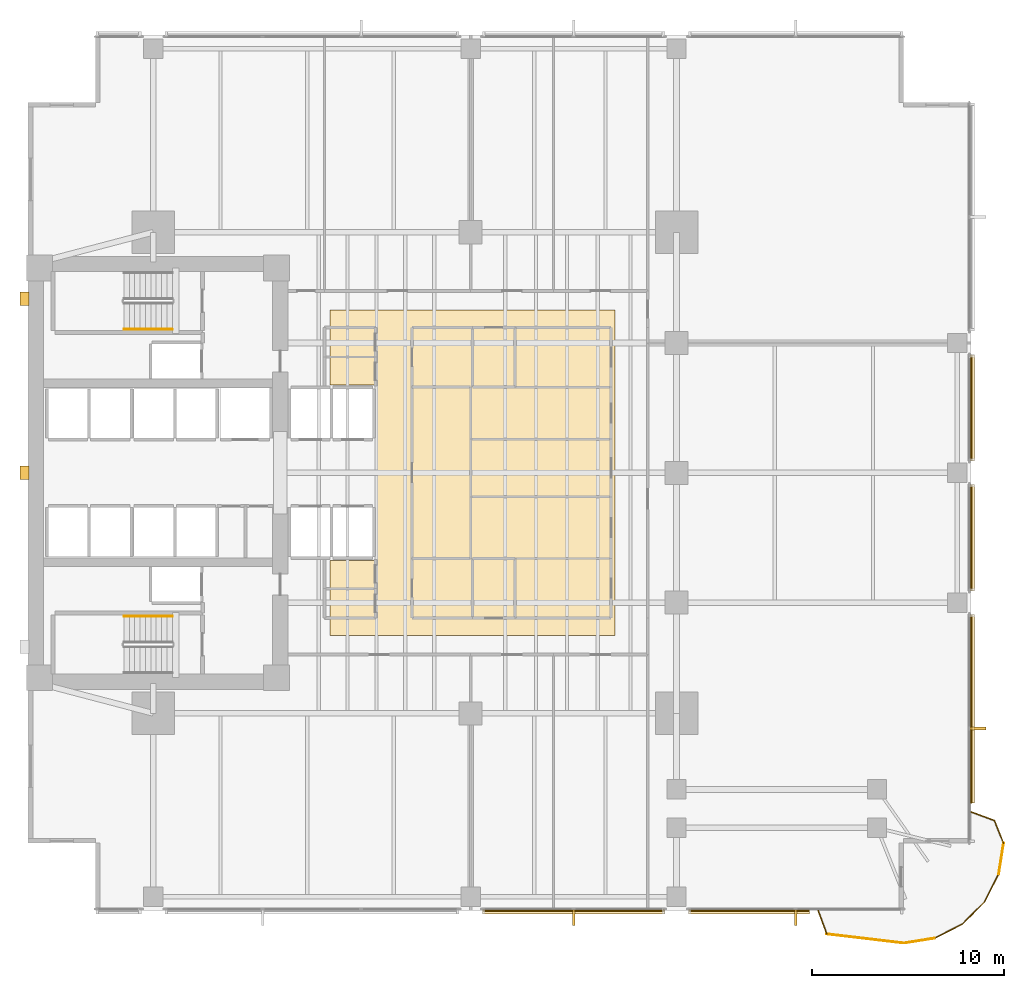
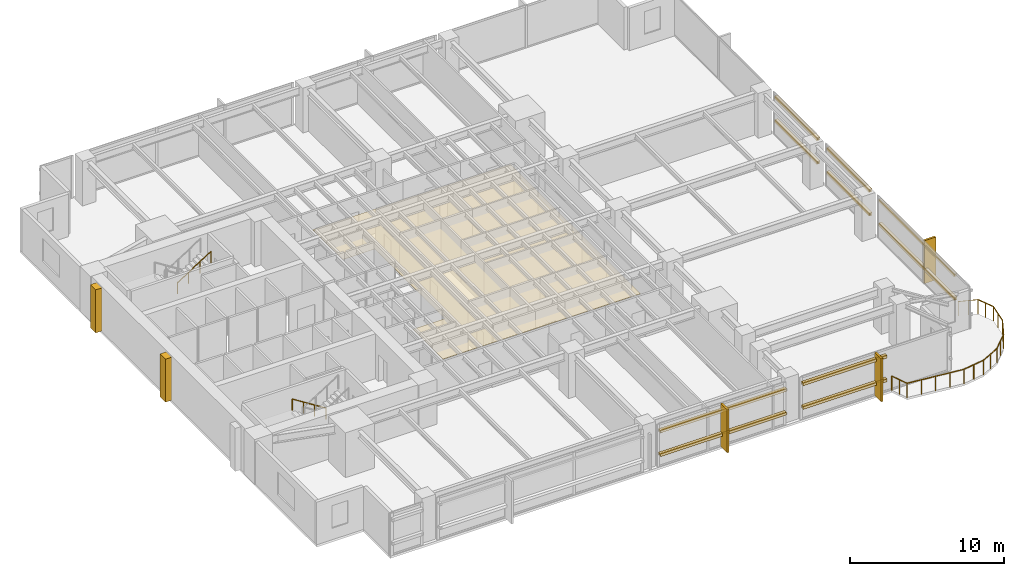
# One storey, part 13 of 15: 16 coverings, 11 railings, 10 shading devices.
"""IFC4 building model written with IfcOpenShell, lengths in metres."""

import ifcopenshell
import ifcopenshell.guid

model = None  # the IFC model being written
_history = None  # IfcOwnerHistory: only IFC2X3 demands one
_inside = {}  # id of a spatial element -> (the spatial element, [elements in it])
_under = {}  # id of a project, library or spatial element -> (it, [spatial elements below it])
_declared = {}  # id of a project -> (the project, [libraries it declares])
_typed = {}  # id of a type object -> (the type object, [elements of that type])
_made_of = {}  # id of a material, layer set ... -> (it, [elements and type objects made of it])


def new_model(schema):
    """Start an empty IFC model of exactly this schema.

    Asked for "IFC4X3", IfcOpenShell would pick the latest addendum, in which some entities
    have other attributes; the version numbers below select the first issue.
    IFC2X3 requires an IfcOwnerHistory on every rooted entity: one is made here for all.
    """
    global model, _history
    if schema == "IFC4X3":
        model = ifcopenshell.file(schema_version=(4, 3, 0, 0))
    else:
        model = ifcopenshell.file(schema=schema)
    _inside.clear()
    _under.clear()
    _declared.clear()
    _typed.clear()
    _made_of.clear()
    _history = None
    if model.schema == "IFC2X3":
        org = make("IfcOrganization", Name="unknown")
        user = make(
            "IfcPersonAndOrganization",
            ThePerson=make("IfcPerson", FamilyName="unknown"),
            TheOrganization=org,
        )
        app = make(
            "IfcApplication",
            ApplicationDeveloper=org,
            Version="unknown",
            ApplicationFullName="unknown",
            ApplicationIdentifier="unknown",
        )
        _history = make(
            "IfcOwnerHistory",
            OwningUser=user,
            OwningApplication=app,
            ChangeAction="ADDED",
            CreationDate=0,
        )
    return model


def make(cls, **values):
    """One entity of the class cls with the attributes given. An attribute that is None is left unset."""
    return model.create_entity(
        cls, **{name: value for name, value in values.items() if value is not None}
    )


def rooted(cls, **values):
    """An entity with a GlobalId (a new one), such as an element, a storey or a relation."""
    return make(cls, GlobalId=ifcopenshell.guid.new(), OwnerHistory=_history, **values)


def si_unit(unit_type, name, prefix=None):
    """IfcSIUnit, for example si_unit("LENGTHUNIT", "METRE", prefix="MILLI")."""
    return make("IfcSIUnit", UnitType=unit_type, Prefix=prefix, Name=name)


def assignment(units):
    """IfcUnitAssignment: the units of a project."""
    return None if units is None else make("IfcUnitAssignment", Units=units)


def point(xyz):
    """IfcCartesianPoint."""
    return None if xyz is None else make("IfcCartesianPoint", Coordinates=xyz)


def direction(xyz):
    """IfcDirection."""
    return None if xyz is None else make("IfcDirection", DirectionRatios=xyz)


def frame(location, z_axis=None, x_axis=None):
    """IfcAxis2Placement3D, a coordinate frame: its origin and axes. An axis left out is left unset."""
    return make(
        "IfcAxis2Placement3D",
        Location=point(location),
        Axis=direction(z_axis),
        RefDirection=direction(x_axis),
    )


def frame_2d(location, x_axis=None):
    """IfcAxis2Placement2D, a coordinate frame in the plane: its origin and x axis."""
    return make(
        "IfcAxis2Placement2D", Location=point(location), RefDirection=direction(x_axis)
    )


def origin():
    """The frame at (0, 0, 0) with its axes left unset."""
    return frame((0.0, 0.0, 0.0))


def origin_2d():
    """The frame at (0, 0) in the plane with its x axis left unset."""
    return frame_2d((0.0, 0.0))


def place(relative_to, where):
    """IfcLocalPlacement: puts the frame where relative to a parent placement (None: the world)."""
    return make(
        "IfcLocalPlacement", PlacementRelTo=relative_to, RelativePlacement=where
    )


def context(
    kind, dimensions, precision=None, world=None, true_north=None, identifier=None
):
    """IfcGeometricRepresentationContext, for example the 3D "Model" context."""
    return make(
        "IfcGeometricRepresentationContext",
        ContextIdentifier=identifier,
        ContextType=kind,
        CoordinateSpaceDimension=dimensions,
        Precision=precision,
        WorldCoordinateSystem=world,
        TrueNorth=true_north,
    )


def subcontext(parent, identifier, kind, view, scale=None):
    """IfcGeometricRepresentationSubContext, for example "Body" below "Model"."""
    return make(
        "IfcGeometricRepresentationSubContext",
        ContextIdentifier=identifier,
        ContextType=kind,
        ParentContext=parent,
        TargetScale=scale,
        TargetView=view,
    )


def project(units=None, contexts=None):
    """IfcProject with its units and contexts."""
    return rooted(
        "IfcProject",
        Name="project",
        RepresentationContexts=contexts,
        UnitsInContext=assignment(units),
    )


def spatial(cls, under=None, at=None, **own):
    """A site, building, storey or space (cls), placed at a placement, below another one or the project."""
    s = rooted(cls, ObjectPlacement=at, **own)
    if under is not None:
        _under.setdefault(under.id(), (under, []))[1].append(s)
    return s


def polyline(points):
    """IfcPolyline through the points."""
    return make("IfcPolyline", Points=[point(p) for p in points])


def profile(cls, at=None, kind="AREA", **sizes):
    """A parametric profile (cls). Its sizes go by their IFC names, for example OverallWidth=200.0."""
    return make(cls, ProfileType=kind, Position=at, **sizes)


def rectangle(**sizes):
    """IfcRectangleProfileDef."""
    return profile("IfcRectangleProfileDef", **sizes)


def circle(**sizes):
    """IfcCircleProfileDef."""
    return profile("IfcCircleProfileDef", **sizes)


def outline(outer, holes=None, kind="AREA"):
    """IfcArbitraryClosedProfileDef: a profile drawn as a closed curve; with holes, ...WithVoids."""
    if holes is None:
        return make("IfcArbitraryClosedProfileDef", ProfileType=kind, OuterCurve=outer)
    return make(
        "IfcArbitraryProfileDefWithVoids",
        ProfileType=kind,
        OuterCurve=outer,
        InnerCurves=holes,
    )


def extrude(swept, where, along, depth):
    """IfcExtrudedAreaSolid: the profile swept, set in the frame where, extruded along a direction by depth."""
    return make(
        "IfcExtrudedAreaSolid",
        SweptArea=swept,
        Position=where,
        ExtrudedDirection=direction(along),
        Depth=depth,
    )


def shape(context_of_items, identifier, shape_type, items):
    """IfcShapeRepresentation: the items that make up one representation, for example the "Body"."""
    return make(
        "IfcShapeRepresentation",
        ContextOfItems=context_of_items,
        RepresentationIdentifier=identifier,
        RepresentationType=shape_type,
        Items=items,
    )


def material(Name=None, Category=None):
    """IfcMaterial."""
    return make("IfcMaterial", Name=Name, Category=Category)


def layer(
    of_material, thickness, ventilated=None, Name=None, Category=None, Priority=None
):
    """IfcMaterialLayer: one layer of a wall or slab, of a material (None: an air gap)."""
    return make(
        "IfcMaterialLayer",
        Material=of_material,
        LayerThickness=thickness,
        IsVentilated=ventilated,
        Name=Name,
        Category=Category,
        Priority=Priority,
    )


def layer_set(layers, Name=None):
    """IfcMaterialLayerSet."""
    return make("IfcMaterialLayerSet", MaterialLayers=layers, LayerSetName=Name)


def material_profile(
    of_material, cross_section, Name=None, Category=None, Priority=None
):
    """IfcMaterialProfile: a cross section and its material."""
    return make(
        "IfcMaterialProfile",
        Name=Name,
        Material=of_material,
        Profile=cross_section,
        Priority=Priority,
        Category=Category,
    )


def profile_set(profiles, Name=None, composite=None):
    """IfcMaterialProfileSet."""
    return make(
        "IfcMaterialProfileSet",
        Name=Name,
        MaterialProfiles=profiles,
        CompositeProfile=composite,
    )


def made_of(thing, what):
    """Note that an element or type object is made of a material, layer set ...; save() writes the relation."""
    if what is not None:
        _made_of.setdefault(what.id(), (what, []))[1].append(thing)
    return thing


def type_object(cls, material=None, **own):
    """A type object (cls), such as IfcWallType, which elements share."""
    return made_of(rooted(cls, **own), material)


def element(
    cls,
    number,
    at=None,
    inside=None,
    cuts=None,
    type_object=None,
    material=None,
    context=None,
    identifier="Body",
    shape_type=None,
    held_by="IfcProductDefinitionShape",
    body=None,
    shapes=None,
    **own,
):
    """One element of the class cls, such as IfcWall. Its Tag is "e" and its number.

    at: its placement. inside: the storey or other place that contains it. cuts: it is an
    opening in that element (IfcRelVoidsElement). A single representation is given by context,
    identifier, shape_type and body (its items); several are given by shapes. held_by: the class
    of the entity that holds the representations. save() writes the other relations.
    """
    e = rooted(cls, Tag="e%d" % number, ObjectPlacement=at, **own)
    if body is not None:
        shapes = [shape(context, identifier, shape_type, body)]
    if shapes is not None:
        e.Representation = make(held_by, Representations=shapes)
    if inside is not None:
        _inside.setdefault(inside.id(), (inside, []))[1].append(e)
    if cuts is not None:
        rooted(
            "IfcRelVoidsElement", RelatingBuildingElement=cuts, RelatedOpeningElement=e
        )
    if type_object is not None:
        _typed.setdefault(type_object.id(), (type_object, []))[1].append(e)
    return made_of(e, material)


def aggregate(whole, parts):
    """IfcRelAggregates: a whole, such as a stair, and the parts it consists of."""
    return rooted("IfcRelAggregates", RelatingObject=whole, RelatedObjects=parts)


def save(model, path):
    """Write the relations noted so far, then the file.

    IfcRelAggregates (storeys below a building ...), IfcRelContainedInSpatialStructure (elements
    in a storey), IfcRelDefinesByType, IfcRelAssociatesMaterial and IfcRelDeclares: one each for
    every whole, place, type object, material and project.
    """
    for whole, parts in _under.values():
        aggregate(whole, parts)
    for where, things in _inside.values():
        rooted(
            "IfcRelContainedInSpatialStructure",
            RelatedElements=things,
            RelatingStructure=where,
        )
    for kind, things in _typed.values():
        rooted("IfcRelDefinesByType", RelatedObjects=things, RelatingType=kind)
    for what, things in _made_of.values():
        rooted("IfcRelAssociatesMaterial", RelatedObjects=things, RelatingMaterial=what)
    for by, libraries in _declared.values():
        rooted("IfcRelDeclares", RelatingContext=by, RelatedDefinitions=libraries)
    model.write(path)


model = new_model("IFC4")

# Units and contexts
model_context = context("Model", 3, precision=1e-05, world=origin(), true_north=direction((0.0, 1.0)))
body_context = subcontext(model_context, "Body", "Model", "MODEL_VIEW")
ifc_project = project(units=[si_unit("LENGTHUNIT", "METRE"), si_unit("AREAUNIT", "SQUARE_METRE"), si_unit("VOLUMEUNIT", "CUBIC_METRE"), si_unit("PLANEANGLEUNIT", "RADIAN"), si_unit("MASSUNIT", "GRAM", prefix="KILO")], contexts=[model_context])

# Site, building, storey
site_placement = place(None, origin())
site = spatial("IfcSite", under=ifc_project, at=site_placement, CompositionType="ELEMENT")
building_placement = place(site_placement, origin())
building = spatial("IfcBuilding", under=site, at=building_placement, Name="Kinhvarn Gate Tower", CompositionType="ELEMENT")
storey_placement = place(building_placement, frame((0.0, 0.0, 68.199951171875)))
storey = spatial("IfcBuildingStorey", under=building, at=storey_placement, Name="L17", CompositionType="ELEMENT", Elevation=68.199951171875)

# Coverings
ifc_material_1 = material(Name="Fired architectural terracotta", Category="masonry")
ifc_layer_1 = layer(ifc_material_1, 0.239990234375)
ifc_layer_set_1 = layer_set([ifc_layer_1], Name="Fired architectural terracotta")
covering_type_1 = type_object("IfcCoveringType", Name="COV-BAG-220", PredefinedType="CLADDING", material=ifc_layer_set_1)
covering_1_placement = place(storey_placement, frame((0.0, 0.0, 0.93994140625)))
element("IfcCovering", 1, at=covering_1_placement, inside=storey, type_object=covering_type_1, Name="Terracotta Horizontal Sunscreen Band TBG-220 (L17)", PredefinedType="CLADDING", context=body_context, shape_type="SweptSolid", body=[
    extrude(outline(polyline([(28.1201171875, 2.56005859375), (37.580078125, 2.56005859375), (37.580078125, 2.320068359375), (28.1201171875, 2.320068359375), (28.1201171875, 2.56005859375)])), origin(), (0.0, 0.0, 1.0), 0.22021484375),
])
covering_2_placement = place(storey_placement, frame((0.0, 0.0, 2.81005859375)))
element("IfcCovering", 2, at=covering_2_placement, inside=storey, type_object=covering_type_1, Name="Terracotta Horizontal Sunscreen Band TBG-220 (L17)", PredefinedType="CLADDING", context=body_context, shape_type="SweptSolid", body=[
    extrude(outline(polyline([(28.1201171875, 2.56005859375), (37.580078125, 2.56005859375), (37.580078125, 2.320068359375), (28.1201171875, 2.320068359375), (28.1201171875, 2.56005859375)])), origin(), (0.0, 0.0, 1.0), 0.219970703125),
])
covering_3_placement = place(storey_placement, frame((0.0, 0.0, 0.93994140625)))
element("IfcCovering", 3, at=covering_3_placement, inside=storey, type_object=covering_type_1, Name="Terracotta Horizontal Sunscreen Band TBG-220 (L17)", PredefinedType="CLADDING", context=body_context, shape_type="SweptSolid", body=[
    extrude(outline(polyline([(38.820068359375, 2.56005859375), (45.10498046875, 2.56005859375), (45.10498046875, 2.320068359375), (38.820068359375, 2.320068359375), (38.820068359375, 2.56005859375)])), origin(), (0.0, 0.0, 1.0), 0.22021484375),
])
covering_4_placement = place(storey_placement, frame((0.0, 0.0, 2.81005859375)))
element("IfcCovering", 4, at=covering_4_placement, inside=storey, type_object=covering_type_1, Name="Terracotta Horizontal Sunscreen Band TBG-220 (L17)", PredefinedType="CLADDING", context=body_context, shape_type="SweptSolid", body=[
    extrude(outline(polyline([(38.820068359375, 2.56005859375), (45.10498046875, 2.56005859375), (45.10498046875, 2.320068359375), (38.820068359375, 2.320068359375), (38.820068359375, 2.56005859375)])), origin(), (0.0, 0.0, 1.0), 0.219970703125),
])
covering_5_placement = place(storey_placement, frame((0.0, 0.0, 0.93994140625)))
element("IfcCovering", 5, at=covering_5_placement, inside=storey, type_object=covering_type_1, Name="Terracotta Horizontal Sunscreen Band TBG-220 (L17)", PredefinedType="CLADDING", context=body_context, shape_type="SweptSolid", body=[
    extrude(outline(polyline([(53.43994140625, 8.0791015625), (53.43994140625, 17.8798828125), (53.679931640625, 17.8798828125), (53.679931640625, 8.0791015625), (53.43994140625, 8.0791015625)])), origin(), (0.0, 0.0, 1.0), 0.22021484375),
])
covering_6_placement = place(storey_placement, frame((0.0, 0.0, 2.81005859375)))
element("IfcCovering", 6, at=covering_6_placement, inside=storey, type_object=covering_type_1, Name="Terracotta Horizontal Sunscreen Band TBG-220 (L17)", PredefinedType="CLADDING", context=body_context, shape_type="SweptSolid", body=[
    extrude(outline(polyline([(53.43994140625, 8.0791015625), (53.43994140625, 17.8798828125), (53.679931640625, 17.8798828125), (53.679931640625, 8.0791015625), (53.43994140625, 8.0791015625)])), origin(), (0.0, 0.0, 1.0), 0.219970703125),
])
covering_7_placement = place(storey_placement, frame((0.0, 0.0, 0.93994140625)))
element("IfcCovering", 7, at=covering_7_placement, inside=storey, type_object=covering_type_1, Name="Terracotta Horizontal Sunscreen Band TBG-220 (L17)", PredefinedType="CLADDING", context=body_context, shape_type="SweptSolid", body=[
    extrude(outline(polyline([(53.43994140625, 19.1201171875), (53.43994140625, 24.6298828125), (53.679931640625, 24.6298828125), (53.679931640625, 19.1201171875), (53.43994140625, 19.1201171875)])), origin(), (0.0, 0.0, 1.0), 0.22021484375),
])
covering_8_placement = place(storey_placement, frame((0.0, 0.0, 2.81005859375)))
element("IfcCovering", 8, at=covering_8_placement, inside=storey, type_object=covering_type_1, Name="Terracotta Horizontal Sunscreen Band TBG-220 (L17)", PredefinedType="CLADDING", context=body_context, shape_type="SweptSolid", body=[
    extrude(outline(polyline([(53.43994140625, 19.1201171875), (53.43994140625, 24.6298828125), (53.679931640625, 24.6298828125), (53.679931640625, 19.1201171875), (53.43994140625, 19.1201171875)])), origin(), (0.0, 0.0, 1.0), 0.219970703125),
])
covering_9_placement = place(storey_placement, frame((0.0, 0.0, 0.93994140625)))
element("IfcCovering", 9, at=covering_9_placement, inside=storey, type_object=covering_type_1, Name="Terracotta Horizontal Sunscreen Band TBG-220 (L17)", PredefinedType="CLADDING", context=body_context, shape_type="SweptSolid", body=[
    extrude(outline(polyline([(53.43994140625, 25.8701171875), (53.43994140625, 31.3798828125), (53.679931640625, 31.3798828125), (53.679931640625, 25.8701171875), (53.43994140625, 25.8701171875)])), origin(), (0.0, 0.0, 1.0), 0.22021484375),
])
covering_10_placement = place(storey_placement, frame((0.0, 0.0, 2.81005859375)))
element("IfcCovering", 10, at=covering_10_placement, inside=storey, type_object=covering_type_1, Name="Terracotta Horizontal Sunscreen Band TBG-220 (L17)", PredefinedType="CLADDING", context=body_context, shape_type="SweptSolid", body=[
    extrude(outline(polyline([(53.43994140625, 25.8701171875), (53.43994140625, 31.3798828125), (53.679931640625, 31.3798828125), (53.679931640625, 25.8701171875), (53.43994140625, 25.8701171875)])), origin(), (0.0, 0.0, 1.0), 0.219970703125),
])
ifc_material_2 = material(Name="Mineral-fibre acoustic ceiling tile")
ifc_layer_2 = layer(ifc_material_2, 0.02001953125)
ifc_layer_set_2 = layer_set([ifc_layer_2], Name="Mineral-fibre acoustic ceiling tile")
covering_type_2 = type_object("IfcCoveringType", Name="COV-CEIL-20", PredefinedType="CEILING", material=ifc_layer_set_2)
covering_11_placement = place(storey_placement, frame((0.0, 0.0, 2.650146484375)))
element("IfcCovering", 11, at=covering_11_placement, inside=storey, type_object=covering_type_2, Name="Suspended Acoustic Ceiling Tile (L17-1)", PredefinedType="CEILING", context=body_context, shape_type="SweptSolid", body=[
    extrude(outline(polyline([(35.0, 33.699951171875), (35.0, 16.800048828125), (20.199951171875, 16.800048828125), (20.199951171875, 20.699951171875), (22.60009765625, 20.699951171875), (22.60009765625, 29.800048828125), (20.199951171875, 29.800048828125), (20.199951171875, 33.699951171875), (35.0, 33.699951171875)])), origin(), (0.0, 0.0, 1.0), 0.02001953125),
])
ifc_layer_3 = layer(ifc_material_1, 0.139892578125)
ifc_layer_set_3 = layer_set([ifc_layer_3], Name="Fired architectural terracotta")
covering_type_3 = type_object("IfcCoveringType", Name="COV-FIN-850", PredefinedType="CLADDING", material=ifc_layer_set_3)
covering_12_placement = place(storey_placement, frame((0.0, 0.0, -0.02001953125)))
element("IfcCovering", 12, at=covering_12_placement, inside=storey, type_object=covering_type_3, Name="Vertical Terracotta Expressive Fin TFN-850 (L17)", PredefinedType="CLADDING", context=body_context, shape_type="SweptSolid", body=[
    extrude(outline(polyline([(32.780029296875, 2.570068359375), (32.919921875, 2.570068359375), (32.919921875, 1.719970703125), (32.780029296875, 1.719970703125), (32.780029296875, 2.570068359375)])), origin(), (0.0, 0.0, 1.0), 3.41015625),
])
covering_13_placement = place(storey_placement, frame((0.0, 0.0, -0.02001953125)))
element("IfcCovering", 13, at=covering_13_placement, inside=storey, type_object=covering_type_3, Name="Vertical Terracotta Expressive Fin TFN-850 (L17)", PredefinedType="CLADDING", context=body_context, shape_type="SweptSolid", body=[
    extrude(outline(polyline([(44.320068359375, 2.570068359375), (44.4599609375, 2.570068359375), (44.4599609375, 1.719970703125), (44.320068359375, 1.719970703125), (44.320068359375, 2.570068359375)])), origin(), (0.0, 0.0, 1.0), 3.41015625),
])
covering_14_placement = place(storey_placement, frame((0.0, 0.0, -0.02001953125)))
element("IfcCovering", 14, at=covering_14_placement, inside=storey, type_object=covering_type_3, Name="Vertical Terracotta Expressive Fin TFN-850 (L17)", PredefinedType="CLADDING", context=body_context, shape_type="SweptSolid", body=[
    extrude(outline(polyline([(53.429931640625, 11.889892578125), (53.429931640625, 12.030029296875), (54.280029296875, 12.030029296875), (54.280029296875, 11.889892578125), (53.429931640625, 11.889892578125)])), origin(), (0.0, 0.0, 1.0), 3.41015625),
])
ifc_material_3 = material(Name="Precast white architectural concrete C40/50", Category="concrete")
ifc_layer_4 = layer(ifc_material_3, 0.47998046875)
ifc_layer_set_4 = layer_set([ifc_layer_4], Name="Precast white architectural concrete C40/50")
covering_type_4 = type_object("IfcCoveringType", Name="COV-RIB-450", PredefinedType="CLADDING", material=ifc_layer_set_4)
covering_15_placement = place(storey_placement, frame((0.0, 0.0, -0.02001953125)))
element("IfcCovering", 15, at=covering_15_placement, inside=storey, type_object=covering_type_4, Name="West Core Sculptural Concrete Relief Rib CRB-450 (L17)", PredefinedType="CLADDING", context=body_context, shape_type="SweptSolid", body=[
    extrude(outline(polyline([(4.080078125, 24.89990234375), (4.56005859375, 24.89990234375), (4.56005859375, 25.60009765625), (4.080078125, 25.60009765625), (4.080078125, 24.89990234375)])), origin(), (0.0, 0.0, 1.0), 3.41015625),
])
covering_16_placement = place(storey_placement, frame((0.0, 0.0, -0.02001953125)))
element("IfcCovering", 16, at=covering_16_placement, inside=storey, type_object=covering_type_4, Name="West Core Sculptural Concrete Relief Rib CRB-450 (L17)", PredefinedType="CLADDING", context=body_context, shape_type="SweptSolid", body=[
    extrude(outline(polyline([(4.080078125, 33.949951171875), (4.56005859375, 33.949951171875), (4.56005859375, 34.64990234375), (4.080078125, 34.64990234375), (4.080078125, 33.949951171875)])), origin(), (0.0, 0.0, 1.0), 3.41015625),
])

# Railings
ifc_material_4 = material(Name="Clear low-e double glazing", Category="glass")
railing_type_1 = type_object("IfcRailingType", Name="RL-BAL-1150", PredefinedType="BALUSTRADE", material=ifc_material_4)
railing_1_placement = place(storey_placement, frame((45.554931640625, 2.5, 0.0)))
element("IfcRailing", 17, at=railing_1_placement, inside=storey, type_object=railing_type_1, Name="S-Carve Balcony Guardrail Seg 1 (L17)", PredefinedType="BALUSTRADE", context=body_context, shape_type="SweptSolid", body=[
    extrude(circle(Radius=0.02392578125, at=origin_2d()), frame((0.0, 0.0, 1.1259765625), z_axis=(0.346830106187, -0.937927970285, 0.0), x_axis=(0.937927970285, 0.346830106187, 0.0)), (0.0, 0.0, 1.0), 1.29736328125),
    extrude(circle(Radius=0.02099609375, at=origin_2d()), origin(), (0.0, 0.0, 1.0), 1.101806640625),
    extrude(circle(Radius=0.02099609375, at=origin_2d()), frame((0.22509765625, -0.6083984375, 0.0)), (0.0, 0.0, 1.0), 1.101806640625),
    extrude(circle(Radius=0.02099609375, at=origin_2d()), frame((0.449951171875, -1.216796875, 0.0)), (0.0, 0.0, 1.0), 1.101806640625),
])
railing_2_placement = place(storey_placement, frame((46.0048828125, 1.283203125, 0.0)))
element("IfcRailing", 18, at=railing_2_placement, inside=storey, type_object=railing_type_1, Name="S-Carve Balcony Guardrail Seg 2 (L17)", PredefinedType="BALUSTRADE", context=body_context, shape_type="SweptSolid", body=[
    extrude(circle(Radius=0.02392578125, at=origin_2d()), frame((0.0, 0.0, 1.1259765625), z_axis=(0.993060004138, -0.117608792961, 0.0), x_axis=(0.117608792961, 0.993060004138, 0.0)), (0.0, 0.0, 1.0), 4.02294921875),
    extrude(circle(Radius=0.02099609375, at=origin_2d()), origin(), (0.0, 0.0, 1.0), 1.101806640625),
    extrude(circle(Radius=0.02099609375, at=origin_2d()), frame((0.998779296875, -0.1181640625, 0.0)), (0.0, 0.0, 1.0), 1.101806640625),
    extrude(circle(Radius=0.02099609375, at=origin_2d()), frame((1.99755859375, -0.236572265625, 0.0)), (0.0, 0.0, 1.0), 1.101806640625),
    extrude(circle(Radius=0.02099609375, at=origin_2d()), frame((2.996337890625, -0.35498046875, 0.0)), (0.0, 0.0, 1.0), 1.101806640625),
    extrude(circle(Radius=0.02099609375, at=origin_2d()), frame((3.9951171875, -0.47314453125, 0.0)), (0.0, 0.0, 1.0), 1.101806640625),
])
railing_3_placement = place(storey_placement, frame((50.0, 0.81005859375, 0.0)))
element("IfcRailing", 19, at=railing_3_placement, inside=storey, type_object=railing_type_1, Name="S-Carve Balcony Guardrail Seg 3 (L17)", PredefinedType="BALUSTRADE", context=body_context, shape_type="SweptSolid", body=[
    extrude(circle(Radius=0.02392578125, at=origin_2d()), frame((0.0, 0.0, 1.1259765625), z_axis=(0.987698267485, 0.15637177625, 0.0), x_axis=(-0.15637177625, 0.987698267485, 0.0)), (0.0, 0.0, 1.0), 1.623779296875),
    extrude(circle(Radius=0.02099609375, at=origin_2d()), origin(), (0.0, 0.0, 1.0), 1.101806640625),
    extrude(circle(Radius=0.02099609375, at=origin_2d()), frame((0.8017578125, 0.126953125, 0.0)), (0.0, 0.0, 1.0), 1.101806640625),
    extrude(circle(Radius=0.02099609375, at=origin_2d()), frame((1.603759765625, 0.25390625, 0.0)), (0.0, 0.0, 1.0), 1.101806640625),
])
railing_4_placement = place(storey_placement, frame((51.603759765625, 1.06396484375, 0.0)))
element("IfcRailing", 20, at=railing_4_placement, inside=storey, type_object=railing_type_1, Name="S-Carve Balcony Guardrail Seg 4 (L17)", PredefinedType="BALUSTRADE", context=body_context, shape_type="SweptSolid", body=[
    extrude(circle(Radius=0.02392578125, at=origin_2d()), frame((0.0, 0.0, 1.1259765625), z_axis=(0.89097293901, 0.454056408338, 0.0), x_axis=(-0.454056408338, 0.89097293901, 0.0)), (0.0, 0.0, 1.0), 1.623779296875),
    extrude(circle(Radius=0.02099609375, at=origin_2d()), origin(), (0.0, 0.0, 1.0), 1.101806640625),
    extrude(circle(Radius=0.02099609375, at=origin_2d()), frame((0.723388671875, 0.36865234375, 0.0)), (0.0, 0.0, 1.0), 1.101806640625),
    extrude(circle(Radius=0.02099609375, at=origin_2d()), frame((1.44677734375, 0.7373046875, 0.0)), (0.0, 0.0, 1.0), 1.101806640625),
])
railing_5_placement = place(storey_placement, frame((53.050537109375, 1.80126953125, 0.0)))
element("IfcRailing", 21, at=railing_5_placement, inside=storey, type_object=railing_type_1, Name="S-Carve Balcony Guardrail Seg 5 (L17)", PredefinedType="BALUSTRADE", context=body_context, shape_type="SweptSolid", body=[
    extrude(circle(Radius=0.02392578125, at=origin_2d()), frame((0.0, 0.0, 1.1259765625), z_axis=(0.707106781187, 0.707106781187, 0.0), x_axis=(-0.707106781187, 0.707106781187, 0.0)), (0.0, 0.0, 1.0), 1.623779296875),
    extrude(circle(Radius=0.02099609375, at=origin_2d()), origin(), (0.0, 0.0, 1.0), 1.101806640625),
    extrude(circle(Radius=0.02099609375, at=origin_2d()), frame((0.57421875, 0.57421875, 0.0)), (0.0, 0.0, 1.0), 1.101806640625),
    extrude(circle(Radius=0.02099609375, at=origin_2d()), frame((1.148193359375, 1.148193359375, 0.0)), (0.0, 0.0, 1.0), 1.101806640625),
])
railing_6_placement = place(storey_placement, frame((54.19873046875, 2.949462890625, 0.0)))
element("IfcRailing", 22, at=railing_6_placement, inside=storey, type_object=railing_type_1, Name="S-Carve Balcony Guardrail Seg 6 (L17)", PredefinedType="BALUSTRADE", context=body_context, shape_type="SweptSolid", body=[
    extrude(circle(Radius=0.02392578125, at=origin_2d()), frame((0.0, 0.0, 1.1259765625), z_axis=(0.454056408338, 0.89097293901, 0.0), x_axis=(-0.89097293901, 0.454056408338, 0.0)), (0.0, 0.0, 1.0), 1.623779296875),
    extrude(circle(Radius=0.02099609375, at=origin_2d()), origin(), (0.0, 0.0, 1.0), 1.101806640625),
    extrude(circle(Radius=0.02099609375, at=origin_2d()), frame((0.36865234375, 0.723388671875, 0.0)), (0.0, 0.0, 1.0), 1.101806640625),
    extrude(circle(Radius=0.02099609375, at=origin_2d()), frame((0.7373046875, 1.44677734375, 0.0)), (0.0, 0.0, 1.0), 1.101806640625),
])
railing_7_placement = place(storey_placement, frame((54.93603515625, 4.396240234375, 0.0)))
element("IfcRailing", 23, at=railing_7_placement, inside=storey, type_object=railing_type_1, Name="S-Carve Balcony Guardrail Seg 7 (L17)", PredefinedType="BALUSTRADE", context=body_context, shape_type="SweptSolid", body=[
    extrude(circle(Radius=0.02392578125, at=origin_2d()), frame((0.0, 0.0, 1.1259765625), z_axis=(0.15637177625, 0.987698267485, 0.0), x_axis=(-0.987698267485, 0.15637177625, 0.0)), (0.0, 0.0, 1.0), 1.623779296875),
    extrude(circle(Radius=0.02099609375, at=origin_2d()), origin(), (0.0, 0.0, 1.0), 1.101806640625),
    extrude(circle(Radius=0.02099609375, at=origin_2d()), frame((0.126953125, 0.8017578125, 0.0)), (0.0, 0.0, 1.0), 1.101806640625),
    extrude(circle(Radius=0.02099609375, at=origin_2d()), frame((0.25390625, 1.603759765625, 0.0)), (0.0, 0.0, 1.0), 1.101806640625),
])
railing_8_placement = place(storey_placement, frame((55.18994140625, 6.0, 0.0)))
element("IfcRailing", 24, at=railing_8_placement, inside=storey, type_object=railing_type_1, Name="S-Carve Balcony Guardrail Seg 8 (L17)", PredefinedType="BALUSTRADE", context=body_context, shape_type="SweptSolid", body=[
    extrude(circle(Radius=0.02392578125, at=origin_2d()), frame((0.0, 0.0, 1.1259765625), z_axis=(-0.372450754463, 0.928051957328, 0.0), x_axis=(-0.928051957328, -0.372450754463, 0.0)), (0.0, 0.0, 1.0), 1.270263671875),
    extrude(circle(Radius=0.02099609375, at=origin_2d()), origin(), (0.0, 0.0, 1.0), 1.101806640625),
    extrude(circle(Radius=0.02099609375, at=origin_2d()), frame((-0.236572265625, 0.58935546875, 0.0)), (0.0, 0.0, 1.0), 1.101806640625),
    extrude(circle(Radius=0.02099609375, at=origin_2d()), frame((-0.47314453125, 1.178955078125, 0.0)), (0.0, 0.0, 1.0), 1.101806640625),
])
railing_9_placement = place(storey_placement, frame((54.716796875, 7.178955078125, 0.0)))
element("IfcRailing", 25, at=railing_9_placement, inside=storey, type_object=railing_type_1, Name="S-Carve Balcony Guardrail Seg 9 (L17)", PredefinedType="BALUSTRADE", context=body_context, shape_type="SweptSolid", body=[
    extrude(circle(Radius=0.02392578125, at=origin_2d()), frame((0.0, 0.0, 1.1259765625), z_axis=(-0.937927970285, 0.346830106187, 0.0), x_axis=(-0.346830106187, -0.937927970285, 0.0)), (0.0, 0.0, 1.0), 1.29736328125),
    extrude(circle(Radius=0.02099609375, at=origin_2d()), origin(), (0.0, 0.0, 1.0), 1.101806640625),
    extrude(circle(Radius=0.02099609375, at=origin_2d()), frame((-0.6083984375, 0.22509765625, 0.0)), (0.0, 0.0, 1.0), 1.101806640625),
    extrude(circle(Radius=0.02099609375, at=origin_2d()), frame((-1.216796875, 0.449951171875, 0.0)), (0.0, 0.0, 1.0), 1.101806640625),
])
ifc_material_5 = material(Name="Steel S355", Category="steel")
railing_type_2 = type_object("IfcRailingType", Name="RL-ST-HND", PredefinedType="HANDRAIL", material=ifc_material_5)
railing_10_placement = place(storey_placement, frame((12.0, 17.800048828125, 0.177490234375)))
element("IfcRailing", 26, at=railing_10_placement, inside=storey, type_object=railing_type_2, Name="L17 ST1 stair handrail 1", PredefinedType="HANDRAIL", context=body_context, shape_type="SweptSolid", body=[
    extrude(circle(Radius=0.02392578125, at=origin_2d()), frame((0.0, 0.0, 0.8759765625), z_axis=(-0.84456994832, 0.0, 0.535445237532), x_axis=(0.0, -1.0, 0.0)), (0.0, 0.0, 1.0), 2.98388671875),
    extrude(circle(Radius=0.02099609375, at=origin_2d()), origin(), (0.0, 0.0, 1.0), 0.851806640625),
    extrude(circle(Radius=0.02099609375, at=origin_2d()), frame((-0.840087890625, 0.0, 0.532470703125)), (0.0, 0.0, 1.0), 0.851806640625),
    extrude(circle(Radius=0.02099609375, at=origin_2d()), frame((-1.679931640625, 0.0, 1.065185546875)), (0.0, 0.0, 1.0), 0.851806640625),
    extrude(circle(Radius=0.02099609375, at=origin_2d()), frame((-2.52001953125, 0.0, 1.59765625)), (0.0, 0.0, 1.0), 0.851806640625),
])
railing_11_placement = place(storey_placement, frame((9.47998046875, 32.699951171875, 1.95263671875)))
element("IfcRailing", 27, at=railing_11_placement, inside=storey, type_object=railing_type_2, Name="L17 ST2 stair handrail 2", PredefinedType="HANDRAIL", context=body_context, shape_type="SweptSolid", body=[
    extrude(circle(Radius=0.02392578125, at=origin_2d()), frame((0.0, 0.0, 0.8759765625), z_axis=(0.84460694969, 0.0, 0.535386869969), x_axis=(0.0, 1.0, 0.0)), (0.0, 0.0, 1.0), 2.983642578125),
    extrude(circle(Radius=0.02099609375, at=origin_2d()), origin(), (0.0, 0.0, 1.0), 0.851806640625),
    extrude(circle(Radius=0.02099609375, at=origin_2d()), frame((0.840087890625, 0.0, 0.532470703125)), (0.0, 0.0, 1.0), 0.851806640625),
    extrude(circle(Radius=0.02099609375, at=origin_2d()), frame((1.679931640625, 0.0, 1.06494140625)), (0.0, 0.0, 1.0), 0.851806640625),
    extrude(circle(Radius=0.02099609375, at=origin_2d()), frame((2.52001953125, 0.0, 1.597412109375)), (0.0, 0.0, 1.0), 0.851806640625),
])

# Shading devices
ifc_material_profile = material_profile(ifc_material_1, rectangle(XDim=0.06005859375, YDim=0.139892578125, at=origin_2d()), Name="TC 60x140")
ifc_profile_set = profile_set([ifc_material_profile], Name="Fired architectural terracotta")
shading_device_type = type_object("IfcShadingDeviceType", Name="SHD-BAG-180", PredefinedType="USERDEFINED", material=ifc_profile_set)
for number, where, z_axis, x_axis, name in (
    (28, (28.1201171875, 2.485107421875, 1.050048828125), (1.0, 0.0, 0.0), (0.0, 1.0, 0.0), "Fired Terracotta Baguette Screen Rod 60x140 mm (L17)"),
    (29, (28.1201171875, 2.485107421875, 2.920166015625), (1.0, 0.0, 0.0), (0.0, 1.0, 0.0), "Fired Terracotta Baguette Screen Rod 60x140 mm (L17)"),
):
    element("IfcShadingDevice", number, at=place(storey_placement, frame(where, z_axis=z_axis, x_axis=x_axis)), inside=storey, type_object=shading_device_type, Name=name, ObjectType="BAGUETTE", PredefinedType="USERDEFINED", context=body_context, shape_type="SweptSolid", body=[
        extrude(rectangle(XDim=0.06005859375, YDim=0.139892578125, at=origin_2d()), origin(), (0.0, 0.0, 1.0), 9.4599609375),
    ])
for number, where, z_axis, x_axis, name in (
    (30, (38.820068359375, 2.485107421875, 1.050048828125), (1.0, 0.0, 0.0), (0.0, 1.0, 0.0), "Fired Terracotta Baguette Screen Rod 60x140 mm (L17)"),
    (31, (38.820068359375, 2.485107421875, 2.920166015625), (1.0, 0.0, 0.0), (0.0, 1.0, 0.0), "Fired Terracotta Baguette Screen Rod 60x140 mm (L17)"),
):
    element("IfcShadingDevice", number, at=place(storey_placement, frame(where, z_axis=z_axis, x_axis=x_axis)), inside=storey, type_object=shading_device_type, Name=name, ObjectType="BAGUETTE", PredefinedType="USERDEFINED", context=body_context, shape_type="SweptSolid", body=[
        extrude(rectangle(XDim=0.06005859375, YDim=0.139892578125, at=origin_2d()), origin(), (0.0, 0.0, 1.0), 6.284912109375),
    ])
for number, where, z_axis, x_axis, name in (
    (32, (53.514892578125, 8.0791015625, 1.050048828125), (0.0, 1.0, 0.0), (-1.0, 0.0, 0.0), "Fired Terracotta Baguette Screen Rod 60x140 mm (L17)"),
    (33, (53.514892578125, 8.0791015625, 2.920166015625), (0.0, 1.0, 0.0), (-1.0, 0.0, 0.0), "Fired Terracotta Baguette Screen Rod 60x140 mm (L17)"),
):
    element("IfcShadingDevice", number, at=place(storey_placement, frame(where, z_axis=z_axis, x_axis=x_axis)), inside=storey, type_object=shading_device_type, Name=name, ObjectType="BAGUETTE", PredefinedType="USERDEFINED", context=body_context, shape_type="SweptSolid", body=[
        extrude(rectangle(XDim=0.06005859375, YDim=0.139892578125, at=origin_2d()), origin(), (0.0, 0.0, 1.0), 9.80078125),
    ])
for number, where, z_axis, x_axis, name in (
    (34, (53.514892578125, 19.1201171875, 1.050048828125), (0.0, 1.0, 0.0), (-1.0, 0.0, 0.0), "Fired Terracotta Baguette Screen Rod 60x140 mm (L17)"),
    (35, (53.514892578125, 19.1201171875, 2.920166015625), (0.0, 1.0, 0.0), (-1.0, 0.0, 0.0), "Fired Terracotta Baguette Screen Rod 60x140 mm (L17)"),
    (36, (53.514892578125, 25.8701171875, 1.050048828125), (0.0, 1.0, 0.0), (-1.0, 0.0, 0.0), "Fired Terracotta Baguette Screen Rod 60x140 mm (L17)"),
    (37, (53.514892578125, 25.8701171875, 2.920166015625), (0.0, 1.0, 0.0), (-1.0, 0.0, 0.0), "Fired Terracotta Baguette Screen Rod 60x140 mm (L17)"),
):
    element("IfcShadingDevice", number, at=place(storey_placement, frame(where, z_axis=z_axis, x_axis=x_axis)), inside=storey, type_object=shading_device_type, Name=name, ObjectType="BAGUETTE", PredefinedType="USERDEFINED", context=body_context, shape_type="SweptSolid", body=[
        extrude(rectangle(XDim=0.06005859375, YDim=0.139892578125, at=origin_2d()), origin(), (0.0, 0.0, 1.0), 5.509765625),
    ])

save(model, "model.ifc")
